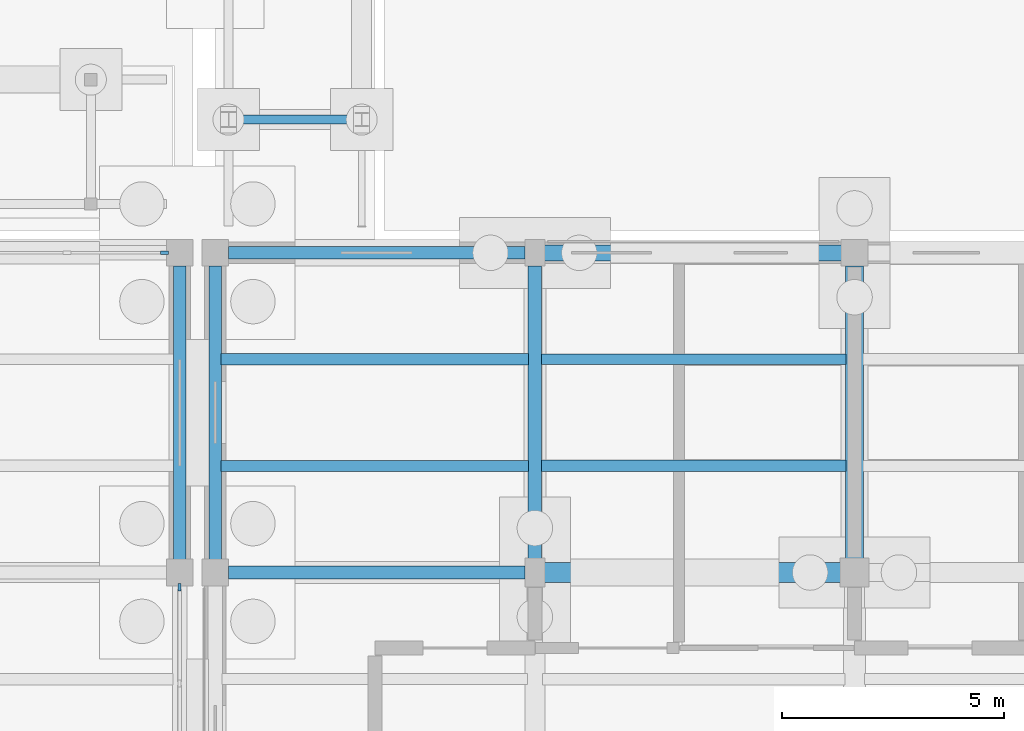
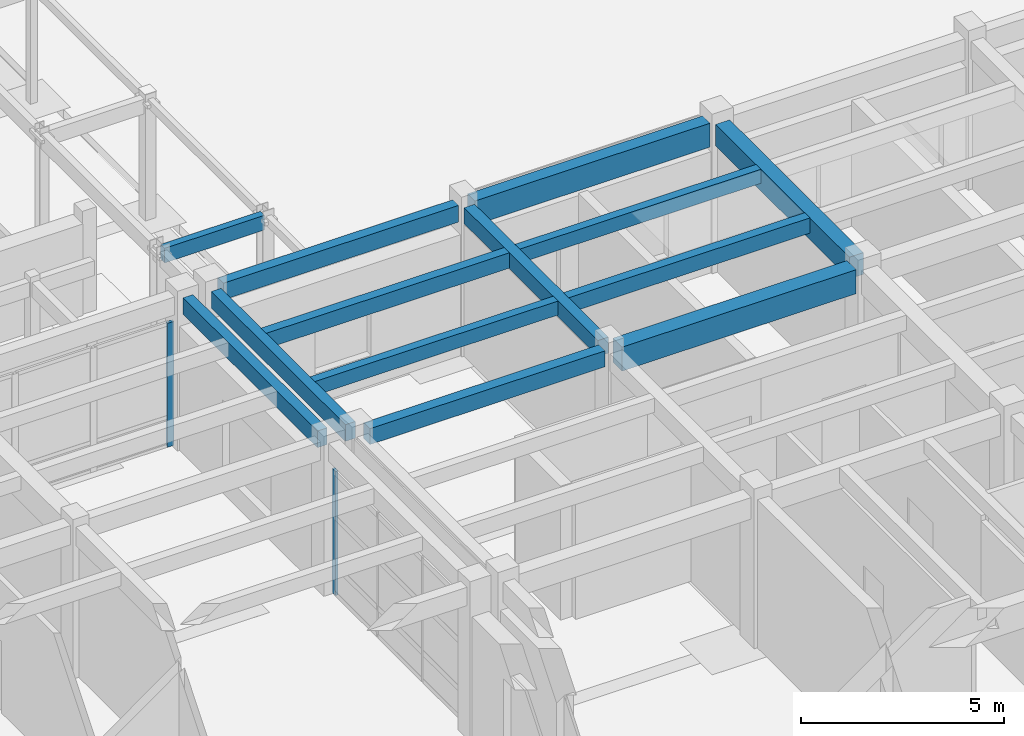
# One storey, part 54 of 143: 13 beams, 2 members, 2 elements without a shape of their own.
"""IFC4 building model written with IfcOpenShell, lengths in metres."""

from ifc_helpers import new_model, si_unit, direction, frame, origin, origin_2d, place, context, subcontext, project, spatial, rectangle, extrude, material, material_profile, profile_set, type_object, element, aggregate, save


model = new_model("IFC4")

# Units and contexts
model_context = context("Model", 3, precision=1e-05, world=origin(), true_north=direction((0.0, 1.0)))
body_context = subcontext(model_context, "Body", "Model", "MODEL_VIEW")
ifc_project = project(units=[si_unit("LENGTHUNIT", "METRE"), si_unit("AREAUNIT", "SQUARE_METRE"), si_unit("VOLUMEUNIT", "CUBIC_METRE"), si_unit("PLANEANGLEUNIT", "RADIAN"), si_unit("MASSUNIT", "GRAM", prefix="KILO")], contexts=[model_context])

# Site, building, storey
site_placement = place(None, origin())
site = spatial("IfcSite", under=ifc_project, at=site_placement, CompositionType="ELEMENT")
building_placement = place(site_placement, origin())
building = spatial("IfcBuilding", under=site, at=building_placement, Name="Steenspoor Specialist Clinic", CompositionType="ELEMENT")
storey_placement = place(building_placement, origin())
storey = spatial("IfcBuildingStorey", under=building, at=storey_placement, Name="L00", CompositionType="ELEMENT", Elevation=0.0)

# Beams
ifc_material_1 = material(Name="Glulam GL28h", Category="wood")
ifc_material_profile_1 = material_profile(ifc_material_1, rectangle(XDim=0.199951171875, YDim=0.43994140625, at=origin_2d()), Name="GL28H-200X440")
ifc_profile_set_1 = profile_set([ifc_material_profile_1], Name="Glulam GL28h")
beam_type_1 = type_object("IfcBeamType", Name="BM-GL-200X440", PredefinedType="BEAM", material=ifc_profile_set_1)
beam_1_placement = place(storey_placement, frame((118.3798828125, 44.85009765625, 3.4150390625), z_axis=(1.0, 0.0, 0.0), x_axis=(0.0, 1.0, 0.0)))
element("IfcBeam", 1, at=beam_1_placement, inside=storey, type_object=beam_type_1, Name="BM-WK2-T-448", PredefinedType="BEAM", context=body_context, shape_type="SweptSolid", body=[
    extrude(rectangle(XDim=0.199951171875, YDim=0.43994140625, at=origin_2d()), origin(), (0.0, 0.0, 1.0), 2.840087890625),
])
ifc_material_2 = material(Name="Concrete C35/45", Category="concrete")
ifc_material_profile_2 = material_profile(ifc_material_2, rectangle(XDim=0.300048828125, YDim=0.47998046875, at=origin_2d()), Name="RC-BM-300X480")
ifc_profile_set_2 = profile_set([ifc_material_profile_2], Name="Concrete C35/45")
beam_type_2 = type_object("IfcBeamType", Name="BM-RC-300X480", PredefinedType="BEAM", material=ifc_profile_set_2)
beam_2_placement = place(storey_placement, frame((118.294921875, 34.64990234375, 4.219970703125), z_axis=(1.0, 0.0, 0.0), x_axis=(0.0, 1.0, 0.0)))
element("IfcBeam", 2, at=beam_2_placement, inside=storey, type_object=beam_type_2, Name="BM-V2-L00-X0169", PredefinedType="BEAM", context=body_context, shape_type="SweptSolid", body=[
    extrude(rectangle(XDim=0.300048828125, YDim=0.47998046875, at=origin_2d()), origin(), (0.0, 0.0, 1.0), 6.68505859375),
])
beam_3_placement = place(storey_placement, frame((125.199951171875, 34.969970703125, 4.219970703125), z_axis=(0.0, 1.0, 0.0), x_axis=(-1.0, 0.0, 0.0)))
element("IfcBeam", 3, at=beam_3_placement, inside=storey, type_object=beam_type_2, Name="BM-V2-L00-Y0186", PredefinedType="BEAM", context=body_context, shape_type="SweptSolid", body=[
    extrude(rectangle(XDim=0.300048828125, YDim=0.47998046875, at=origin_2d()), origin(), (0.0, 0.0, 1.0), 6.5849609375),
])
ifc_material_profile_3 = material_profile(ifc_material_2, rectangle(XDim=0.39990234375, YDim=0.64990234375, at=origin_2d()), Name="RC-BM-400X650")
ifc_profile_set_3 = profile_set([ifc_material_profile_3], Name="Concrete C35/45")
beam_type_3 = type_object("IfcBeamType", Name="BM-RC-400X650", PredefinedType="BEAM", material=ifc_profile_set_3)
beam_4_placement = place(storey_placement, frame((132.39990234375, 34.969970703125, 4.135009765625), z_axis=(0.0, 1.0, 0.0), x_axis=(-1.0, 0.0, 0.0)))
element("IfcBeam", 4, at=beam_4_placement, inside=storey, type_object=beam_type_3, Name="BM-V2-L00-Y0190", PredefinedType="BEAM", context=body_context, shape_type="SweptSolid", body=[
    extrude(rectangle(XDim=0.39990234375, YDim=0.64990234375, at=origin_2d()), origin(), (0.0, 0.0, 1.0), 6.5849609375),
])
ifc_material_profile_4 = material_profile(ifc_material_2, rectangle(XDim=0.449951171875, YDim=0.719970703125, at=origin_2d()), Name="RC-BM-450X720")
ifc_profile_set_4 = profile_set([ifc_material_profile_4], Name="Concrete C35/45")
beam_type_4 = type_object("IfcBeamType", Name="BM-RC-450X720", PredefinedType="BEAM", material=ifc_profile_set_4)
beam_5_placement = place(storey_placement, frame((125.419921875, 34.64990234375, 4.10009765625), z_axis=(1.0, 0.0, 0.0), x_axis=(0.0, 1.0, 0.0)))
element("IfcBeam", 5, at=beam_5_placement, inside=storey, type_object=beam_type_4, Name="BM-V2-L00-X0170", PredefinedType="BEAM", context=body_context, shape_type="SweptSolid", body=[
    extrude(rectangle(XDim=0.449951171875, YDim=0.719970703125, at=origin_2d()), origin(), (0.0, 0.0, 1.0), 6.66015625),
])

# Curtain wall, member
ifc_material_3 = material(Name="Thermally broken aluminium and low-emissivity glass", Category="aluminium")
curtain_wall_type_1 = type_object("IfcCurtainWallType", Name="CW-TYP-360X355", PredefinedType="USERDEFINED", material=ifc_material_3)
curtain_wall_1_placement = place(storey_placement, origin())
curtain_wall_1 = element("IfcCurtainWall", 6, at=curtain_wall_1_placement, inside=storey, type_object=curtain_wall_type_1, Name="Unitised Curtain Wall CW-V1-L00-014", ObjectType="UNITISED GLAZING", PredefinedType="USERDEFINED")
ifc_material_4 = material(Name="Thermally broken aluminium 6063-T6", Category="aluminium")
ifc_material_profile_5 = material_profile(ifc_material_4, rectangle(XDim=0.070068359375, YDim=0.1650390625, at=origin_2d()), Name="CWM-70X165")
ifc_profile_set_5 = profile_set([ifc_material_profile_5], Name="Thermally broken aluminium 6063-T6")
member_type_1 = type_object("IfcMemberType", Name="CW-MULL-70X165", PredefinedType="MULLION", material=ifc_profile_set_5)
member_1_placement = place(storey_placement, frame((117.199951171875, 34.31494140625, 0.0), z_axis=(0.0, 0.0, 1.0), x_axis=(1.0, 0.0, 0.0)))
member_1 = element("IfcMember", 7, at=member_1_placement, type_object=member_type_1, Name="CW-14 mullion 1", PredefinedType="MULLION", context=body_context, shape_type="SweptSolid", body=[
    extrude(rectangle(XDim=0.070068359375, YDim=0.1650390625, at=origin_2d()), origin(), (0.0, 0.0, 1.0), 3.72998046875),
])
aggregate(curtain_wall_1, [member_1])

curtain_wall_type_2 = type_object("IfcCurtainWallType", Name="CW-TYP-420X355", PredefinedType="USERDEFINED", material=ifc_material_3)
curtain_wall_2_placement = place(storey_placement, origin())
curtain_wall_2 = element("IfcCurtainWall", 8, at=curtain_wall_2_placement, inside=storey, type_object=curtain_wall_type_2, Name="Unitised Curtain Wall CW-V1-L00-013", ObjectType="UNITISED GLAZING", PredefinedType="USERDEFINED")
ifc_material_profile_6 = material_profile(ifc_material_4, rectangle(XDim=0.080078125, YDim=0.179931640625, at=origin_2d()), Name="CWM-80X180")
ifc_profile_set_6 = profile_set([ifc_material_profile_6], Name="Thermally broken aluminium 6063-T6")
member_type_2 = type_object("IfcMemberType", Name="CW-MULL-80X180", PredefinedType="MULLION", material=ifc_profile_set_6)
member_2_placement = place(storey_placement, frame((116.860107421875, 41.85009765625, 0.0), z_axis=(0.0, 0.0, 1.0), x_axis=(0.0, 1.0, 0.0)))
member_2 = element("IfcMember", 9, at=member_2_placement, type_object=member_type_2, Name="CW-13 mullion 4", PredefinedType="MULLION", context=body_context, shape_type="SweptSolid", body=[
    extrude(rectangle(XDim=0.080078125, YDim=0.179931640625, at=origin_2d()), origin(), (0.0, 0.0, 1.0), 3.72998046875),
])
aggregate(curtain_wall_2, [member_2])

# Beams
ifc_material_profile_7 = material_profile(ifc_material_2, rectangle(XDim=0.239990234375, YDim=0.419921875, at=origin_2d()), Name="RC-JT-240X420")
ifc_profile_set_7 = profile_set([ifc_material_profile_7], Name="Concrete C35/45")
beam_type_5 = type_object("IfcBeamType", Name="JT-RC-240X420", PredefinedType="JOIST", material=ifc_profile_set_7)
beam_6_placement = place(storey_placement, frame((118.135009765625, 37.050048828125, 4.25), z_axis=(1.0, 0.0, 0.0), x_axis=(0.0, 1.0, 0.0)))
element("IfcBeam", 10, at=beam_6_placement, inside=storey, type_object=beam_type_5, Name="JT-V2-L00-0207", PredefinedType="JOIST", context=body_context, shape_type="SweptSolid", body=[
    extrude(rectangle(XDim=0.239990234375, YDim=0.419921875, at=origin_2d()), origin(), (0.0, 0.0, 1.0), 6.919921875),
])
beam_7_placement = place(storey_placement, frame((125.344970703125, 39.449951171875, 4.25), z_axis=(1.0, 0.0, 0.0), x_axis=(0.0, 1.0, 0.0)))
element("IfcBeam", 11, at=beam_7_placement, inside=storey, type_object=beam_type_5, Name="JT-V2-L00-0216", PredefinedType="JOIST", context=body_context, shape_type="SweptSolid", body=[
    extrude(rectangle(XDim=0.239990234375, YDim=0.419921875, at=origin_2d()), origin(), (0.0, 0.0, 1.0), 6.860107421875),
])
ifc_material_profile_8 = material_profile(ifc_material_2, rectangle(XDim=0.260009765625, YDim=0.4599609375, at=origin_2d()), Name="RC-JT-260X460")
ifc_profile_set_8 = profile_set([ifc_material_profile_8], Name="Concrete C35/45")
beam_type_6 = type_object("IfcBeamType", Name="JT-RC-260X460", PredefinedType="JOIST", material=ifc_profile_set_8)
beam_8_placement = place(storey_placement, frame((118.135009765625, 39.449951171875, 4.22998046875), z_axis=(1.0, 0.0, 0.0), x_axis=(0.0, 1.0, 0.0)))
element("IfcBeam", 12, at=beam_8_placement, inside=storey, type_object=beam_type_6, Name="JT-V2-L00-0208", PredefinedType="JOIST", context=body_context, shape_type="SweptSolid", body=[
    extrude(rectangle(XDim=0.260009765625, YDim=0.4599609375, at=origin_2d()), origin(), (0.0, 0.0, 1.0), 6.919921875),
])
beam_9_placement = place(storey_placement, frame((125.344970703125, 37.050048828125, 4.22998046875), z_axis=(1.0, 0.0, 0.0), x_axis=(0.0, 1.0, 0.0)))
element("IfcBeam", 13, at=beam_9_placement, inside=storey, type_object=beam_type_6, Name="JT-V2-L00-0215", PredefinedType="JOIST", context=body_context, shape_type="SweptSolid", body=[
    extrude(rectangle(XDim=0.260009765625, YDim=0.4599609375, at=origin_2d()), origin(), (0.0, 0.0, 1.0), 6.860107421875),
])
ifc_material_profile_9 = material_profile(ifc_material_2, rectangle(XDim=0.280029296875, YDim=0.5, at=origin_2d()), Name="RC-SP-280X500")
ifc_profile_set_9 = profile_set([ifc_material_profile_9], Name="Concrete C35/45")
beam_type_7 = type_object("IfcBeamType", Name="SP-RC-280X500", PredefinedType="SPANDREL", material=ifc_profile_set_9)
beam_10_placement = place(storey_placement, frame((117.199951171875, 34.945068359375, 4.300048828125), z_axis=(0.0, 1.0, 0.0), x_axis=(-1.0, 0.0, 0.0)))
element("IfcBeam", 14, at=beam_10_placement, inside=storey, type_object=beam_type_7, Name="BM-V1-L00-Y0069", PredefinedType="SPANDREL", context=body_context, shape_type="SweptSolid", body=[
    extrude(rectangle(XDim=0.280029296875, YDim=0.5, at=origin_2d()), origin(), (0.0, 0.0, 1.0), 6.60986328125),
])
beam_11_placement = place(storey_placement, frame((118.294921875, 41.85009765625, 4.2099609375), z_axis=(1.0, 0.0, 0.0), x_axis=(0.0, 1.0, 0.0)))
element("IfcBeam", 15, at=beam_11_placement, inside=storey, type_object=beam_type_7, Name="BM-V2-L00-X0175", PredefinedType="SPANDREL", context=body_context, shape_type="SweptSolid", body=[
    extrude(rectangle(XDim=0.280029296875, YDim=0.5, at=origin_2d()), origin(), (0.0, 0.0, 1.0), 6.68505859375),
])
beam_12_placement = place(storey_placement, frame((118.0, 34.945068359375, 4.2099609375), z_axis=(0.0, 1.0, 0.0), x_axis=(-1.0, 0.0, 0.0)))
element("IfcBeam", 16, at=beam_12_placement, inside=storey, type_object=beam_type_7, Name="BM-V2-L00-Y0184", PredefinedType="SPANDREL", context=body_context, shape_type="SweptSolid", body=[
    extrude(rectangle(XDim=0.280029296875, YDim=0.5, at=origin_2d()), origin(), (0.0, 0.0, 1.0), 6.60986328125),
])
ifc_material_profile_10 = material_profile(ifc_material_2, rectangle(XDim=0.360107421875, YDim=0.719970703125, at=origin_2d()), Name="RC-SP-360X720")
ifc_profile_set_10 = profile_set([ifc_material_profile_10], Name="Concrete C35/45")
beam_type_8 = type_object("IfcBeamType", Name="SP-RC-360X720", PredefinedType="SPANDREL", material=ifc_profile_set_10)
beam_13_placement = place(storey_placement, frame((125.419921875, 41.85009765625, 4.10009765625), z_axis=(1.0, 0.0, 0.0), x_axis=(0.0, 1.0, 0.0)))
element("IfcBeam", 17, at=beam_13_placement, inside=storey, type_object=beam_type_8, Name="BM-V2-L00-X0176", PredefinedType="SPANDREL", context=body_context, shape_type="SweptSolid", body=[
    extrude(rectangle(XDim=0.360107421875, YDim=0.719970703125, at=origin_2d()), origin(), (0.0, 0.0, 1.0), 6.68505859375),
])

save(model, "model.ifc")
